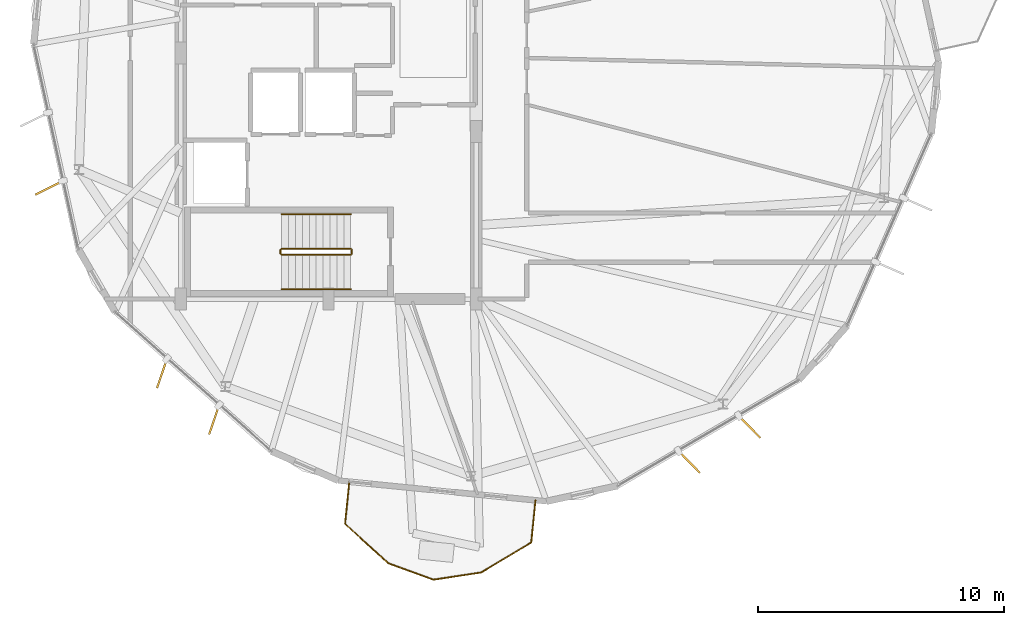
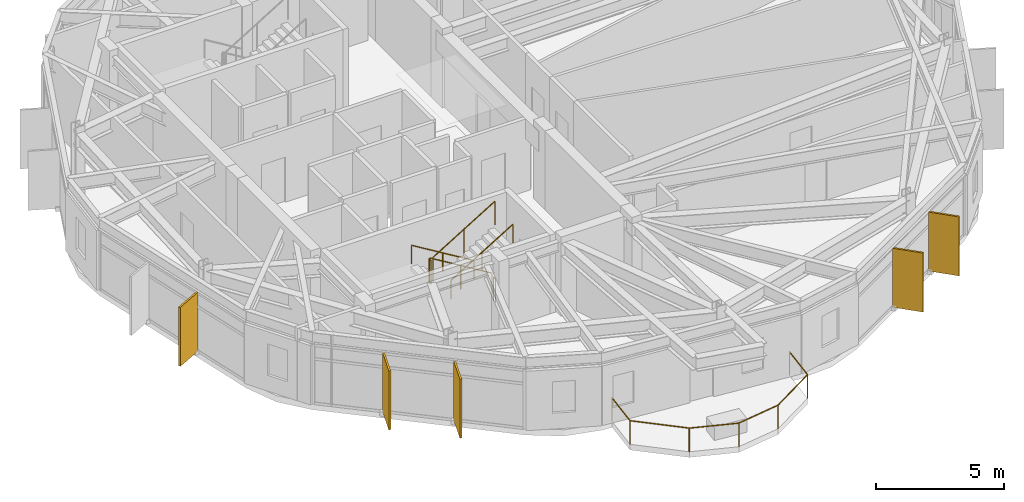
# One storey, part 23 of 25: 7 railings, 5 shading devices.
"""IFC4 building model written with IfcOpenShell, lengths in metres."""

from ifc_helpers import new_model, si_unit, direction, frame, origin, origin_2d, place, context, subcontext, project, spatial, rectangle, circle, extrude, material, layer, layer_set, type_object, element, save


model = new_model("IFC4")

# Units and contexts
model_context = context("Model", 3, precision=1e-05, world=origin(), true_north=direction((0.0, 1.0)))
body_context = subcontext(model_context, "Body", "Model", "MODEL_VIEW")
ifc_project = project(units=[si_unit("LENGTHUNIT", "METRE"), si_unit("AREAUNIT", "SQUARE_METRE"), si_unit("VOLUMEUNIT", "CUBIC_METRE"), si_unit("PLANEANGLEUNIT", "RADIAN"), si_unit("MASSUNIT", "GRAM", prefix="KILO")], contexts=[model_context])

# Site, building, storey
site_placement = place(None, origin())
site = spatial("IfcSite", under=ifc_project, at=site_placement, CompositionType="ELEMENT")
building_placement = place(site_placement, origin())
building = spatial("IfcBuilding", under=site, at=building_placement, Name="Soratama Intermodal Tower", CompositionType="ELEMENT")
storey_placement = place(building_placement, frame((0.0, 0.0, 276.25)))
storey = spatial("IfcBuildingStorey", under=building, at=storey_placement, Name="L70", CompositionType="ELEMENT", Elevation=276.25)

# Railings
ifc_material_1 = material(Name="Laminated glass and stainless steel balustrade", Category="steel")
railing_type_1 = type_object("IfcRailingType", Name="RL-BAL-1150", PredefinedType="BALUSTRADE", material=ifc_material_1)
railing_1_placement = place(storey_placement, frame((47.00537109375, 6.8310546875, 0.0)))
element("IfcRailing", 1, at=railing_1_placement, inside=storey, type_object=railing_type_1, Name="L70 Balcony Balustrade 3", PredefinedType="BALUSTRADE", context=body_context, shape_type="SweptSolid", body=[
    extrude(circle(Radius=0.02392578125, at=origin_2d()), frame((0.0, 0.0, 1.1259765625), z_axis=(-0.099363176054, -0.995051234482, 0.0), x_axis=(0.995051234482, -0.099363176054, 0.0)), (0.0, 0.0, 1.0), 1.719970703125),
    extrude(circle(Radius=0.02392578125, at=origin_2d()), frame((-0.1708984375, -1.71142578125, 1.1259765625), z_axis=(-0.857329203933, -0.514768526703, 0.0), x_axis=(0.514768526703, -0.857329203933, 0.0)), (0.0, 0.0, 1.0), 2.368896484375),
    extrude(circle(Radius=0.02392578125, at=origin_2d()), frame((-2.201904296875, -2.930908203125, 1.1259765625), z_axis=(-0.988718856978, -0.149783249584, 0.0), x_axis=(0.149783249584, -0.988718856978, 0.0)), (0.0, 0.0, 1.0), 1.9609375),
    extrude(circle(Radius=0.02392578125, at=origin_2d()), frame((-4.140625, -3.224609375, 1.1259765625), z_axis=(-0.939607897083, 0.342252830142, 0.0), x_axis=(-0.342252830142, -0.939607897083, 0.0)), (0.0, 0.0, 1.0), 1.9609375),
    extrude(circle(Radius=0.02392578125, at=origin_2d()), frame((-5.983154296875, -2.553466796875, 1.1259765625), z_axis=(-0.738675101229, 0.674061640226, 0.0), x_axis=(-0.674061640226, -0.738675101229, 0.0)), (0.0, 0.0, 1.0), 2.369140625),
    extrude(circle(Radius=0.02392578125, at=origin_2d()), frame((-7.733154296875, -0.95654296875, 1.1259765625), z_axis=(0.099363176054, 0.995051234482, 0.0), x_axis=(-0.995051234482, 0.099363176054, 0.0)), (0.0, 0.0, 1.0), 1.719970703125),
    extrude(circle(Radius=0.02099609375, at=origin_2d()), origin(), (0.0, 0.0, 1.0), 1.101806640625),
    extrude(circle(Radius=0.02099609375, at=origin_2d()), frame((-0.1708984375, -1.71142578125, 0.0)), (0.0, 0.0, 1.0), 1.101806640625),
    extrude(circle(Radius=0.02099609375, at=origin_2d()), frame((-2.201904296875, -2.930908203125, 0.0)), (0.0, 0.0, 1.0), 1.101806640625),
    extrude(circle(Radius=0.02099609375, at=origin_2d()), frame((-4.140625, -3.224609375, 0.0)), (0.0, 0.0, 1.0), 1.101806640625),
    extrude(circle(Radius=0.02099609375, at=origin_2d()), frame((-5.983154296875, -2.553466796875, 0.0)), (0.0, 0.0, 1.0), 1.101806640625),
    extrude(circle(Radius=0.02099609375, at=origin_2d()), frame((-7.733154296875, -0.95654296875, 0.0)), (0.0, 0.0, 1.0), 1.101806640625),
    extrude(circle(Radius=0.02099609375, at=origin_2d()), frame((-7.562255859375, 0.7548828125, 0.0)), (0.0, 0.0, 1.0), 1.101806640625),
])
ifc_material_2 = material(Name="Painted steel stair guardrail", Category="steel")
railing_type_2 = type_object("IfcRailingType", Name="RL-STAIR-GUARD", PredefinedType="GUARDRAIL", material=ifc_material_2)
railing_2_placement = place(storey_placement, frame((39.5, 17.050048828125, 0.17041015625)))
element("IfcRailing", 2, at=railing_2_placement, inside=storey, type_object=railing_type_2, Name="L70 ST-1 stair guard 1", PredefinedType="GUARDRAIL", context=body_context, shape_type="SweptSolid", body=[
    extrude(circle(Radius=0.02392578125, at=origin_2d()), frame((0.0, 0.0, 1.1259765625), z_axis=(-0.854169791009, 0.0, 0.51999420009), x_axis=(0.0, -1.0, 0.0)), (0.0, 0.0, 1.0), 3.278076171875),
    extrude(circle(Radius=0.02099609375, at=origin_2d()), origin(), (0.0, 0.0, 1.0), 1.101806640625),
    extrude(circle(Radius=0.02099609375, at=origin_2d()), frame((-1.39990234375, 0.0, 0.852294921875)), (0.0, 0.0, 1.0), 1.101806640625),
    extrude(circle(Radius=0.02099609375, at=origin_2d()), frame((-2.800048828125, 0.0, 1.70458984375)), (0.0, 0.0, 1.0), 1.101806640625),
])
railing_3_placement = place(storey_placement, frame((36.64990234375, 17.0, 1.875)))
element("IfcRailing", 3, at=railing_3_placement, inside=storey, type_object=railing_type_2, Name="L70 ST-1 stair guard 2", PredefinedType="GUARDRAIL", context=body_context, shape_type="SweptSolid", body=[
    extrude(circle(Radius=0.02392578125, at=origin_2d()), frame((0.0, 0.0, 1.1259765625), z_axis=(0.0, -1.0, 0.0), x_axis=(1.0, 0.0, 0.0)), (0.0, 0.0, 1.0), 0.14990234375),
    extrude(circle(Radius=0.02099609375, at=origin_2d()), origin(), (0.0, 0.0, 1.0), 1.101806640625),
    extrude(circle(Radius=0.02099609375, at=origin_2d()), frame((0.0, -0.14990234375, 0.0)), (0.0, 0.0, 1.0), 1.101806640625),
])
railing_4_placement = place(storey_placement, frame((36.699951171875, 16.800048828125, 2.04541015625)))
element("IfcRailing", 4, at=railing_4_placement, inside=storey, type_object=railing_type_2, Name="L70 ST-1 stair guard 3", PredefinedType="GUARDRAIL", context=body_context, shape_type="SweptSolid", body=[
    extrude(circle(Radius=0.02392578125, at=origin_2d()), frame((0.0, 0.0, 1.1259765625), z_axis=(0.854169791009, 0.0, 0.51999420009), x_axis=(0.0, 1.0, 0.0)), (0.0, 0.0, 1.0), 3.278076171875),
    extrude(circle(Radius=0.02099609375, at=origin_2d()), origin(), (0.0, 0.0, 1.0), 1.101806640625),
    extrude(circle(Radius=0.02099609375, at=origin_2d()), frame((1.39990234375, 0.0, 0.852294921875)), (0.0, 0.0, 1.0), 1.101806640625),
    extrude(circle(Radius=0.02099609375, at=origin_2d()), frame((2.800048828125, 0.0, 1.70458984375)), (0.0, 0.0, 1.0), 1.101806640625),
])
railing_5_placement = place(storey_placement, frame((39.550048828125, 17.0, 0.0)))
element("IfcRailing", 5, at=railing_5_placement, inside=storey, type_object=railing_type_2, Name="L70 ST-1 stair guard 4", PredefinedType="GUARDRAIL", context=body_context, shape_type="SweptSolid", body=[
    extrude(circle(Radius=0.02392578125, at=origin_2d()), frame((0.0, 0.0, 1.1259765625), z_axis=(0.0, -1.0, 0.0), x_axis=(1.0, 0.0, 0.0)), (0.0, 0.0, 1.0), 0.14990234375),
    extrude(circle(Radius=0.02099609375, at=origin_2d()), origin(), (0.0, 0.0, 1.0), 1.101806640625),
    extrude(circle(Radius=0.02099609375, at=origin_2d()), frame((0.0, -0.14990234375, 0.0)), (0.0, 0.0, 1.0), 1.101806640625),
])
ifc_material_3 = material(Name="Brushed stainless steel handrail", Category="steel")
railing_type_3 = type_object("IfcRailingType", Name="RL-STAIR-HAND", PredefinedType="HANDRAIL", material=ifc_material_3)
railing_6_placement = place(storey_placement, frame((39.5, 18.449951171875, 0.17041015625)))
element("IfcRailing", 6, at=railing_6_placement, inside=storey, type_object=railing_type_3, Name="L70 ST-1 stair handrail 1", PredefinedType="HANDRAIL", context=body_context, shape_type="SweptSolid", body=[
    extrude(circle(Radius=0.02392578125, at=origin_2d()), frame((0.0, 0.0, 0.8759765625), z_axis=(-0.854169791009, 0.0, 0.51999420009), x_axis=(0.0, -1.0, 0.0)), (0.0, 0.0, 1.0), 3.278076171875),
    extrude(circle(Radius=0.02099609375, at=origin_2d()), origin(), (0.0, 0.0, 1.0), 0.851806640625),
    extrude(circle(Radius=0.02099609375, at=origin_2d()), frame((-1.39990234375, 0.0, 0.852294921875)), (0.0, 0.0, 1.0), 0.851806640625),
    extrude(circle(Radius=0.02099609375, at=origin_2d()), frame((-2.800048828125, 0.0, 1.70458984375)), (0.0, 0.0, 1.0), 0.851806640625),
])
railing_7_placement = place(storey_placement, frame((36.699951171875, 15.39990234375, 2.04541015625)))
element("IfcRailing", 7, at=railing_7_placement, inside=storey, type_object=railing_type_3, Name="L70 ST-1 stair handrail 2", PredefinedType="HANDRAIL", context=body_context, shape_type="SweptSolid", body=[
    extrude(circle(Radius=0.02392578125, at=origin_2d()), frame((0.0, 0.0, 0.8759765625), z_axis=(0.854169791009, 0.0, 0.51999420009), x_axis=(0.0, 1.0, 0.0)), (0.0, 0.0, 1.0), 3.278076171875),
    extrude(circle(Radius=0.02099609375, at=origin_2d()), origin(), (0.0, 0.0, 1.0), 0.851806640625),
    extrude(circle(Radius=0.02099609375, at=origin_2d()), frame((1.39990234375, 0.0, 0.852294921875)), (0.0, 0.0, 1.0), 0.851806640625),
    extrude(circle(Radius=0.02099609375, at=origin_2d()), frame((2.800048828125, 0.0, 1.70458984375)), (0.0, 0.0, 1.0), 0.851806640625),
])

# Shading devices
ifc_material_4 = material(Name="Champagne anodised aluminium solar fin", Category="aluminium")
ifc_layer = layer(ifc_material_4, 0.080078125)
ifc_layer_set = layer_set([ifc_layer], Name="Champagne anodised aluminium solar fin")
shading_device_type = type_object("IfcShadingDeviceType", Name="SH-FIN-1250", PredefinedType="USERDEFINED", material=ifc_layer_set)
for number, where, z_axis, x_axis, name in (
    (8, (27.254638671875, 19.52001953125, 0.02001953125), (0.0, 0.0, 1.0), (-0.895634143119, -0.444791503606, 0.0), "L70 Solar Fin F04-2"),
    (9, (31.83935546875, 11.982421875, 0.02001953125), (0.0, 0.0, 1.0), (-0.323422004683, -0.946254831896, 0.0), "L70 Solar Fin F05-1"),
    (10, (33.954833984375, 10.097412109375, 0.02001953125), (0.0, 0.0, 1.0), (-0.323422004683, -0.946254831896, 0.0), "L70 Solar Fin F05-2"),
    (11, (53.2490234375, 8.38720703125, 0.02001953125), (0.0, 0.0, 1.0), (0.699788028863, -0.714350554462, 0.0), "L70 Solar Fin F07-1"),
    (12, (55.6953125, 9.816650390625, 0.02001953125), (0.0, 0.0, 1.0), (0.699788028863, -0.714350554462, 0.0), "L70 Solar Fin F07-2"),
):
    element("IfcShadingDevice", number, at=place(storey_placement, frame(where, z_axis=z_axis, x_axis=x_axis)), inside=storey, type_object=shading_device_type, Name=name, ObjectType="FIN", PredefinedType="USERDEFINED", context=body_context, shape_type="SweptSolid", body=[
        extrude(rectangle(XDim=1.25, YDim=0.080078125, at=origin_2d()), origin(), (0.0, 0.0, 1.0), 2.80908203125),
    ])

save(model, "model.ifc")
